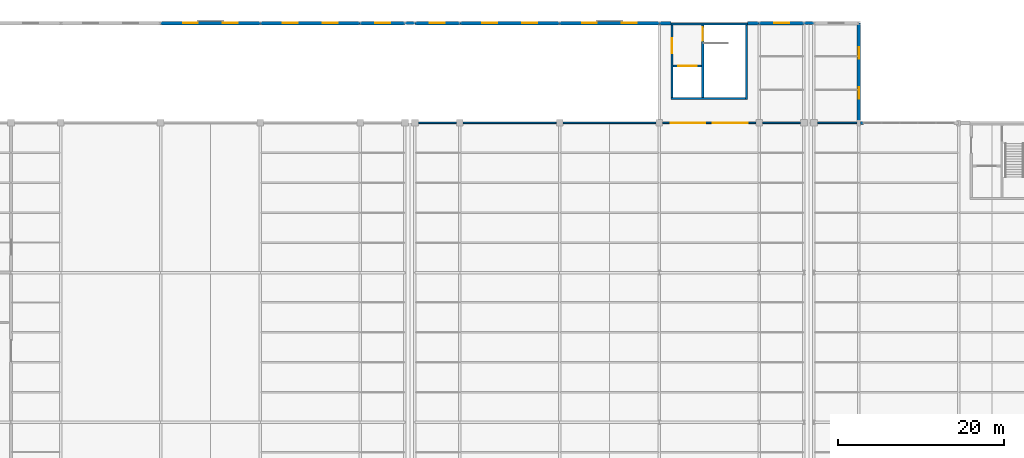
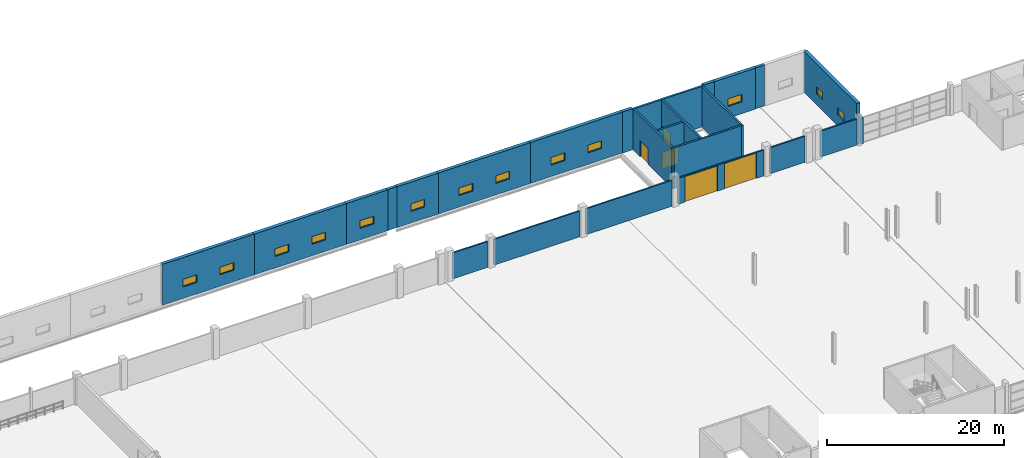
# One storey, part 140 of 147: 25 walls, 13 windows, 5 doors, 18 openings.
"""IFC4 building model written with IfcOpenShell, lengths in metres."""

from ifc_helpers import new_model, si_unit, direction, frame, frame_2d, origin, place, context, subcontext, project, spatial, rectangle, extrude, material, layer, layer_set, type_object, element, fill, save


model = new_model("IFC4")

# Units and contexts
model_context = context("Model", 3, precision=1e-05, world=origin(), true_north=direction((0.0, 1.0)))
body_context = subcontext(model_context, "Body", "Model", "MODEL_VIEW")
ifc_project = project(units=[si_unit("LENGTHUNIT", "METRE"), si_unit("AREAUNIT", "SQUARE_METRE"), si_unit("VOLUMEUNIT", "CUBIC_METRE"), si_unit("PLANEANGLEUNIT", "RADIAN"), si_unit("MASSUNIT", "GRAM", prefix="KILO")], contexts=[model_context])

# Site, building, storey
site_placement = place(None, origin())
site = spatial("IfcSite", under=ifc_project, at=site_placement, CompositionType="ELEMENT")
building_placement = place(site_placement, origin())
building = spatial("IfcBuilding", under=site, at=building_placement, Name="Zilviju Railside Exhibition Hall", CompositionType="ELEMENT")
storey_placement = place(building_placement, frame((0.0, 0.0, 8.39990234375)))
storey = spatial("IfcBuildingStorey", under=building, at=storey_placement, Name="L03", CompositionType="ELEMENT", Elevation=8.39990234375)

# Walls
ifc_material_1 = material(Name="Concrete C35/45", Category="concrete")
ifc_layer_1 = layer(ifc_material_1, 0.25)
ifc_layer_set_1 = layer_set([ifc_layer_1], Name="Concrete C35/45")
wall_type_1 = type_object("IfcWallType", Name="WL-CORE-250", PredefinedType="SHEAR", material=ifc_layer_set_1)
wall_1_placement = place(storey_placement, frame((166.47509765625, 150.0, 0.0), z_axis=(0.0, 0.0, 1.0), x_axis=(0.0, -1.0, 0.0)))
element("IfcWall", 1, at=wall_1_placement, inside=storey, type_object=wall_type_1, Name="Core C17 Logistics Wing East Stairwell Outer Wall L03", PredefinedType="SHEAR", context=body_context, shape_type="SweptSolid", body=[
    extrude(rectangle(XDim=9.199951171875, YDim=0.25, at=frame_2d((4.60009765625, 0.0))), origin(), (0.0, 0.0, 1.0), 5.60009765625),
])
wall_2_placement = place(storey_placement, frame((166.60009765625, 140.925048828125, 0.0), z_axis=(0.0, 0.0, 1.0), x_axis=(-1.0, 0.0, 0.0)))
element("IfcWall", 2, at=wall_2_placement, inside=storey, type_object=wall_type_1, Name="Core C17 Logistics Wing East Core Rear Wall L03", PredefinedType="SHEAR", context=body_context, shape_type="SweptSolid", body=[
    extrude(rectangle(XDim=9.2001953125, YDim=0.25, at=frame_2d((4.60009765625, 0.0))), origin(), (0.0, 0.0, 1.0), 5.60009765625),
])

# Wall, opening, door
wall_3_placement = place(storey_placement, frame((157.52490234375, 150.0, 0.0), z_axis=(0.0, 0.0, 1.0), x_axis=(0.0, -1.0, 0.0)))
wall_3 = element("IfcWall", 3, at=wall_3_placement, inside=storey, type_object=wall_type_1, Name="Core C17 Logistics Wing East Lobby Side Wall L03", PredefinedType="SHEAR", context=body_context, shape_type="SweptSolid", body=[
    extrude(rectangle(XDim=9.199951171875, YDim=0.25, at=frame_2d((4.60009765625, 0.0))), origin(), (0.0, 0.0, 1.0), 5.60009765625),
])
opening_1_placement = place(wall_3_placement, frame((1.800048828125, 0.0, 0.0)))
opening_1 = element("IfcOpeningElement", 4, at=opening_1_placement, cuts=wall_3, Name="Opening FD-02", PredefinedType="OPENING", context=body_context, shape_type="SweptSolid", body=[
    extrude(rectangle(XDim=1.800048828125, YDim=2.14990234375, at=frame_2d((0.89990234375, 1.074951171875))), frame((0.0, 0.135009765625, 0.0), z_axis=(0.0, -1.0, 0.0), x_axis=(1.0, 0.0, 0.0)), (0.0, 0.0, 1.0), 0.27001953125),
])
ifc_material_2 = material(Name="Self-closing glazed steel core lobby fire door EI 60", Category="steel")
door_type_1 = type_object("IfcDoorType", Name="DR-LOBBY-180x215", OperationType="NOTDEFINED", PredefinedType="DOOR", material=ifc_material_2)
door_1_placement = place(opening_1_placement, origin())
door_1 = element("IfcDoor", 5, at=door_1_placement, inside=storey, type_object=door_type_1, Name="Core C17 Logistics Wing East Lobby Fire Door L03", OperationType="DOUBLE_DOOR_SINGLE_SWING", OverallHeight=2.14990234375, OverallWidth=1.800048828125, PredefinedType="DOOR", context=body_context, shape_type="SweptSolid", body=[
    extrude(rectangle(XDim=1.800048828125, YDim=2.14990234375, at=frame_2d((0.89990234375, 1.074951171875))), frame((0.0, 0.02490234375, 0.0), z_axis=(0.0, -1.0, 0.0), x_axis=(1.0, 0.0, 0.0)), (0.0, 0.0, 1.0), 0.050048828125),
])
fill(opening_1, door_1)

wall_4_placement = place(storey_placement, frame((161.22509765625, 149.75, 0.0), z_axis=(0.0, 0.0, 1.0), x_axis=(0.0, -1.0, 0.0)))
wall_4 = element("IfcWall", 6, at=wall_4_placement, inside=storey, type_object=wall_type_1, Name="Core C17 Logistics Wing East Stairwell Partition Wall L03", PredefinedType="SHEAR", context=body_context, shape_type="SweptSolid", body=[
    extrude(rectangle(XDim=8.699951171875, YDim=0.25, at=frame_2d((4.35009765625, 0.0))), origin(), (0.0, 0.0, 1.0), 5.60009765625),
])
opening_2_placement = place(wall_4_placement, frame((0.25, 0.0, 0.0)))
opening_2 = element("IfcOpeningElement", 7, at=opening_2_placement, cuts=wall_4, Name="Opening FD-01", PredefinedType="OPENING", context=body_context, shape_type="SweptSolid", body=[
    extrude(rectangle(XDim=1.64990234375, YDim=2.10009765625, at=frame_2d((0.824951171875, 1.050048828125))), frame((0.0, 0.135009765625, 0.0), z_axis=(0.0, -1.0, 0.0), x_axis=(1.0, 0.0, 0.0)), (0.0, 0.0, 1.0), 0.27001953125),
])
ifc_material_3 = material(Name="Self-closing steel stair enclosure fire door EI 60", Category="steel")
door_type_2 = type_object("IfcDoorType", Name="DR-STAIR-165x210", OperationType="NOTDEFINED", PredefinedType="DOOR", material=ifc_material_3)
door_2_placement = place(opening_2_placement, origin())
door_2 = element("IfcDoor", 8, at=door_2_placement, inside=storey, type_object=door_type_2, Name="Core C17 Logistics Wing East Protected Stair Door L03", OperationType="SINGLE_SWING_LEFT", OverallHeight=2.10009765625, OverallWidth=1.64990234375, PredefinedType="DOOR", context=body_context, shape_type="SweptSolid", body=[
    extrude(rectangle(XDim=1.64990234375, YDim=2.10009765625, at=frame_2d((0.824951171875, 1.050048828125))), frame((0.0, 0.02490234375, 0.0), z_axis=(0.0, -1.0, 0.0), x_axis=(1.0, 0.0, 0.0)), (0.0, 0.0, 1.0), 0.050048828125),
])
fill(opening_2, door_2)

wall_5_placement = place(storey_placement, frame((161.10009765625, 144.824951171875, 0.0), z_axis=(0.0, 0.0, 1.0), x_axis=(-1.0, 0.0, 0.0)))
wall_5 = element("IfcWall", 9, at=wall_5_placement, inside=storey, type_object=wall_type_1, Name="Core C17 Logistics Wing East Lift Shaft Front Wall L03", PredefinedType="SHEAR", context=body_context, shape_type="SweptSolid", body=[
    extrude(rectangle(XDim=3.4501953125, YDim=0.25, at=frame_2d((1.72509765625, 0.0))), origin(), (0.0, 0.0, 1.0), 5.60009765625),
])
opening_3_placement = place(wall_5_placement, frame((0.625, 0.0, 0.0)))
opening_3 = element("IfcOpeningElement", 10, at=opening_3_placement, cuts=wall_5, Name="Opening LD-02", PredefinedType="OPENING", context=body_context, shape_type="SweptSolid", body=[
    extrude(rectangle(XDim=2.199951171875, YDim=2.35009765625, at=frame_2d((1.10009765625, 1.175048828125))), frame((0.0, 0.135009765625, 0.0), z_axis=(0.0, -1.0, 0.0), x_axis=(1.0, 0.0, 0.0)), (0.0, 0.0, 1.0), 0.27001953125),
])
ifc_material_4 = material(Name="Heavy freight lift sliding landing door EI 60", Category="wood")
door_type_3 = type_object("IfcDoorType", Name="DR-LIFT-220x235", OperationType="NOTDEFINED", PredefinedType="DOOR", material=ifc_material_4)
door_3_placement = place(opening_3_placement, origin())
door_3 = element("IfcDoor", 11, at=door_3_placement, inside=storey, type_object=door_type_3, Name="Lift Landing Door LF-04 L03", OperationType="SLIDING_TO_LEFT", OverallHeight=2.35009765625, OverallWidth=2.199951171875, PredefinedType="DOOR", context=body_context, shape_type="SweptSolid", body=[
    extrude(rectangle(XDim=2.199951171875, YDim=2.35009765625, at=frame_2d((1.10009765625, 1.175048828125))), frame((0.0, 0.02490234375, 0.0), z_axis=(0.0, -1.0, 0.0), x_axis=(1.0, 0.0, 0.0)), (0.0, 0.0, 1.0), 0.050048828125),
])
fill(opening_3, door_3)

# Walls
ifc_material_5 = material(Name="Concrete C40/50", Category="concrete")
ifc_layer_2 = layer(ifc_material_5, 0.25)
ifc_layer_set_2 = layer_set([ifc_layer_2], Name="Concrete C40/50")
wall_type_2 = type_object("IfcWallType", Name="WL-CORE-300", PredefinedType="SHEAR", material=ifc_layer_set_2)
wall_6_placement = place(storey_placement, frame((157.39990234375, 149.875, 0.0), z_axis=(0.0, 0.0, 1.0), x_axis=(1.0, 0.0, 0.0)))
element("IfcWall", 12, at=wall_6_placement, inside=storey, type_object=wall_type_2, Name="Core C17 Logistics Wing East Exterior Core Wall L03", PredefinedType="SHEAR", context=body_context, shape_type="SweptSolid", body=[
    extrude(rectangle(XDim=9.2001953125, YDim=0.25, at=frame_2d((4.60009765625, 0.0))), origin(), (0.0, 0.0, 1.0), 5.60009765625),
])
ifc_material_6 = material(Name="Insulated courtyard masonry wall", Category="masonry")
ifc_layer_3 = layer(ifc_material_6, 0.360107421875)
ifc_layer_set_3 = layer_set([ifc_layer_3], Name="Insulated courtyard masonry wall")
wall_type_3 = type_object("IfcWallType", Name="WL-EXT-360", PredefinedType="SOLIDWALL", material=ifc_layer_set_3)
for number, where, z_axis, x_axis, name in (
    (13, (125.39990234375, 150.0, 0.0), (0.0, 0.0, 1.0), (1.0, 0.0, 0.0), "Exterior Facade Wall L03 North 0589"),
    (14, (173.39990234375, 150.0, 0.0), (0.0, 0.0, 1.0), (1.0, 0.0, 0.0), "Exterior Facade Wall L03 North 0603"),
):
    element("IfcWall", number, at=place(storey_placement, frame(where, z_axis=z_axis, x_axis=x_axis)), inside=storey, type_object=wall_type_3, Name=name, PredefinedType="SOLIDWALL", context=body_context, shape_type="SweptSolid", body=[
        extrude(rectangle(XDim=1.2001953125, YDim=0.360107421875, at=frame_2d((0.60009765625, 0.0))), origin(), (0.0, 0.0, 1.0), 5.650146484375),
    ])
ifc_material_7 = material(Name="Insulated cream-brick upper facade wall", Category="masonry")
ifc_layer_4 = layer(ifc_material_7, 0.3798828125)
ifc_layer_set_4 = layer_set([ifc_layer_4], Name="Insulated cream-brick upper facade wall")
wall_type_4 = type_object("IfcWallType", Name="WL-EXT-380", PredefinedType="SOLIDWALL", material=ifc_layer_set_4)
wall_7_placement = place(storey_placement, frame((180.221923828125, 138.0, 0.0), z_axis=(0.0, 0.0, 1.0), x_axis=(1.0, 0.0, 0.0)))
element("IfcWall", 15, at=wall_7_placement, inside=storey, type_object=wall_type_4, Name="Curtain-Wall Jamb Closure Pier L03 0247", PredefinedType="SOLIDWALL", context=body_context, shape_type="SweptSolid", body=[
    extrude(rectangle(XDim=0.328125, YDim=0.3798828125, at=frame_2d((0.1640625, 0.0))), origin(), (0.0, 0.0, 1.0), 3.550048828125),
])

# Wall, openings, windows
ifc_layer_5 = layer(ifc_material_5, 0.43994140625)
ifc_layer_set_5 = layer_set([ifc_layer_5], Name="Concrete C40/50")
wall_type_5 = type_object("IfcWallType", Name="WL-EXT-AC440", PredefinedType="SHEAR", material=ifc_layer_set_5)
wall_8_placement = place(storey_placement, frame((96.0, 150.0, 0.0), z_axis=(0.0, 0.0, 1.0), x_axis=(1.0, 0.0, 0.0)))
wall_8 = element("IfcWall", 16, at=wall_8_placement, inside=storey, type_object=wall_type_5, Name="Exterior Facade Wall L03 North 0565", PredefinedType="SHEAR", context=body_context, shape_type="SweptSolid", body=[
    extrude(rectangle(XDim=12.0, YDim=0.43994140625, at=frame_2d((6.0, 0.0))), origin(), (0.0, 0.0, 1.0), 5.650146484375),
])
opening_4_placement = place(wall_8_placement, frame((2.699951171875, 0.0, 1.60009765625)))
opening_4 = element("IfcOpeningElement", 17, at=opening_4_placement, cuts=wall_8, Name="Opening WN-16", PredefinedType="OPENING", context=body_context, shape_type="SweptSolid", body=[
    extrude(rectangle(XDim=1.800048828125, YDim=1.050048828125, at=frame_2d((0.89990234375, 0.52490234375))), frame((0.0, 0.22998046875, 0.0), z_axis=(0.0, -1.0, 0.0), x_axis=(1.0, 0.0, 0.0)), (0.0, 0.0, 1.0), 0.4599609375),
])
opening_5_placement = place(wall_8_placement, frame((7.5, 0.0, 1.60009765625)))
opening_5 = element("IfcOpeningElement", 18, at=opening_5_placement, cuts=wall_8, Name="Opening WN-16", PredefinedType="OPENING", context=body_context, shape_type="SweptSolid", body=[
    extrude(rectangle(XDim=1.800048828125, YDim=1.050048828125, at=frame_2d((0.89990234375, 0.52490234375))), frame((0.0, 0.22998046875, 0.0), z_axis=(0.0, -1.0, 0.0), x_axis=(1.0, 0.0, 0.0)), (0.0, 0.0, 1.0), 0.4599609375),
])
ifc_material_8 = material(Name="Triple-glazed timber-aluminium window unit", Category="wood")
window_type_1 = type_object("IfcWindowType", Name="WIN-LOG-180x105", PartitioningType="DOUBLE_PANEL_VERTICAL", PredefinedType="WINDOW", material=ifc_material_8)
window_1_placement = place(opening_4_placement, origin())
window_1 = element("IfcWindow", 19, at=window_1_placement, inside=storey, type_object=window_type_1, Name="Facade Window L03 WN-0154", OverallHeight=1.050048828125, OverallWidth=1.800048828125, PartitioningType="SINGLE_PANEL", PredefinedType="WINDOW", context=body_context, shape_type="SweptSolid", body=[
    extrude(rectangle(XDim=1.800048828125, YDim=1.050048828125, at=frame_2d((0.89990234375, 0.52490234375))), frame((0.0, 0.030029296875, 0.0), z_axis=(0.0, -1.0, 0.0), x_axis=(1.0, 0.0, 0.0)), (0.0, 0.0, 1.0), 0.06005859375),
])
fill(opening_4, window_1)
window_2_placement = place(opening_5_placement, origin())
window_2 = element("IfcWindow", 20, at=window_2_placement, inside=storey, type_object=window_type_1, Name="Facade Window L03 WN-0155", OverallHeight=1.050048828125, OverallWidth=1.800048828125, PartitioningType="SINGLE_PANEL", PredefinedType="WINDOW", context=body_context, shape_type="SweptSolid", body=[
    extrude(rectangle(XDim=1.800048828125, YDim=1.050048828125, at=frame_2d((0.89990234375, 0.52490234375))), frame((0.0, 0.030029296875, 0.0), z_axis=(0.0, -1.0, 0.0), x_axis=(1.0, 0.0, 0.0)), (0.0, 0.0, 1.0), 0.06005859375),
])
fill(opening_5, window_2)

wall_9_placement = place(storey_placement, frame((108.0, 150.0, 0.0), z_axis=(0.0, 0.0, 1.0), x_axis=(1.0, 0.0, 0.0)))
wall_9 = element("IfcWall", 21, at=wall_9_placement, inside=storey, type_object=wall_type_5, Name="Exterior Facade Wall L03 North 0566", PredefinedType="SHEAR", context=body_context, shape_type="SweptSolid", body=[
    extrude(rectangle(XDim=12.0, YDim=0.43994140625, at=frame_2d((6.0, 0.0))), origin(), (0.0, 0.0, 1.0), 5.650146484375),
])
opening_6_placement = place(wall_9_placement, frame((2.699951171875, 0.0, 1.60009765625)))
opening_6 = element("IfcOpeningElement", 22, at=opening_6_placement, cuts=wall_9, Name="Opening WN-16", PredefinedType="OPENING", context=body_context, shape_type="SweptSolid", body=[
    extrude(rectangle(XDim=1.800048828125, YDim=1.050048828125, at=frame_2d((0.89990234375, 0.52490234375))), frame((0.0, 0.22998046875, 0.0), z_axis=(0.0, -1.0, 0.0), x_axis=(1.0, 0.0, 0.0)), (0.0, 0.0, 1.0), 0.4599609375),
])
opening_7_placement = place(wall_9_placement, frame((7.5, 0.0, 1.60009765625)))
opening_7 = element("IfcOpeningElement", 23, at=opening_7_placement, cuts=wall_9, Name="Opening WN-16", PredefinedType="OPENING", context=body_context, shape_type="SweptSolid", body=[
    extrude(rectangle(XDim=1.800048828125, YDim=1.050048828125, at=frame_2d((0.89990234375, 0.52490234375))), frame((0.0, 0.22998046875, 0.0), z_axis=(0.0, -1.0, 0.0), x_axis=(1.0, 0.0, 0.0)), (0.0, 0.0, 1.0), 0.4599609375),
])
window_3_placement = place(opening_6_placement, origin())
window_3 = element("IfcWindow", 24, at=window_3_placement, inside=storey, type_object=window_type_1, Name="Facade Window L03 WN-0156", OverallHeight=1.050048828125, OverallWidth=1.800048828125, PartitioningType="SINGLE_PANEL", PredefinedType="WINDOW", context=body_context, shape_type="SweptSolid", body=[
    extrude(rectangle(XDim=1.800048828125, YDim=1.050048828125, at=frame_2d((0.89990234375, 0.52490234375))), frame((0.0, 0.030029296875, 0.0), z_axis=(0.0, -1.0, 0.0), x_axis=(1.0, 0.0, 0.0)), (0.0, 0.0, 1.0), 0.06005859375),
])
fill(opening_6, window_3)
window_4_placement = place(opening_7_placement, origin())
window_4 = element("IfcWindow", 25, at=window_4_placement, inside=storey, type_object=window_type_1, Name="Facade Window L03 WN-0157", OverallHeight=1.050048828125, OverallWidth=1.800048828125, PartitioningType="SINGLE_PANEL", PredefinedType="WINDOW", context=body_context, shape_type="SweptSolid", body=[
    extrude(rectangle(XDim=1.800048828125, YDim=1.050048828125, at=frame_2d((0.89990234375, 0.52490234375))), frame((0.0, 0.030029296875, 0.0), z_axis=(0.0, -1.0, 0.0), x_axis=(1.0, 0.0, 0.0)), (0.0, 0.0, 1.0), 0.06005859375),
])
fill(opening_7, window_4)

# Wall, opening, window
wall_10_placement = place(storey_placement, frame((120.0, 150.0, 0.0), z_axis=(0.0, 0.0, 1.0), x_axis=(1.0, 0.0, 0.0)))
wall_10 = element("IfcWall", 26, at=wall_10_placement, inside=storey, type_object=wall_type_5, Name="Exterior Facade Wall L03 North 0567", PredefinedType="SHEAR", context=body_context, shape_type="SweptSolid", body=[
    extrude(rectangle(XDim=5.39990234375, YDim=0.43994140625, at=frame_2d((2.699951171875, 0.0))), origin(), (0.0, 0.0, 1.0), 5.650146484375),
])
opening_8_placement = place(wall_10_placement, frame((1.800048828125, 0.0, 1.60009765625)))
opening_8 = element("IfcOpeningElement", 27, at=opening_8_placement, cuts=wall_10, Name="Opening WN-16", PredefinedType="OPENING", context=body_context, shape_type="SweptSolid", body=[
    extrude(rectangle(XDim=1.800048828125, YDim=1.050048828125, at=frame_2d((0.89990234375, 0.52490234375))), frame((0.0, 0.22998046875, 0.0), z_axis=(0.0, -1.0, 0.0), x_axis=(1.0, 0.0, 0.0)), (0.0, 0.0, 1.0), 0.4599609375),
])
window_5_placement = place(opening_8_placement, origin())
window_5 = element("IfcWindow", 28, at=window_5_placement, inside=storey, type_object=window_type_1, Name="Facade Window L03 WN-0158", OverallHeight=1.050048828125, OverallWidth=1.800048828125, PartitioningType="SINGLE_PANEL", PredefinedType="WINDOW", context=body_context, shape_type="SweptSolid", body=[
    extrude(rectangle(XDim=1.800048828125, YDim=1.050048828125, at=frame_2d((0.89990234375, 0.52490234375))), frame((0.0, 0.030029296875, 0.0), z_axis=(0.0, -1.0, 0.0), x_axis=(1.0, 0.0, 0.0)), (0.0, 0.0, 1.0), 0.06005859375),
])
fill(opening_8, window_5)

wall_11_placement = place(storey_placement, frame((126.60009765625, 150.0, 0.0), z_axis=(0.0, 0.0, 1.0), x_axis=(1.0, 0.0, 0.0)))
wall_11 = element("IfcWall", 29, at=wall_11_placement, inside=storey, type_object=wall_type_5, Name="Exterior Facade Wall L03 North 0568", PredefinedType="SHEAR", context=body_context, shape_type="SweptSolid", body=[
    extrude(rectangle(XDim=5.39990234375, YDim=0.43994140625, at=frame_2d((2.699951171875, 0.0))), origin(), (0.0, 0.0, 1.0), 5.650146484375),
])
opening_9_placement = place(wall_11_placement, frame((1.800048828125, 0.0, 1.60009765625)))
opening_9 = element("IfcOpeningElement", 30, at=opening_9_placement, cuts=wall_11, Name="Opening WN-16", PredefinedType="OPENING", context=body_context, shape_type="SweptSolid", body=[
    extrude(rectangle(XDim=1.800048828125, YDim=1.050048828125, at=frame_2d((0.89990234375, 0.52490234375))), frame((0.0, 0.22998046875, 0.0), z_axis=(0.0, -1.0, 0.0), x_axis=(1.0, 0.0, 0.0)), (0.0, 0.0, 1.0), 0.4599609375),
])
window_6_placement = place(opening_9_placement, origin())
window_6 = element("IfcWindow", 31, at=window_6_placement, inside=storey, type_object=window_type_1, Name="Facade Window L03 WN-0159", OverallHeight=1.050048828125, OverallWidth=1.800048828125, PartitioningType="SINGLE_PANEL", PredefinedType="WINDOW", context=body_context, shape_type="SweptSolid", body=[
    extrude(rectangle(XDim=1.800048828125, YDim=1.050048828125, at=frame_2d((0.89990234375, 0.52490234375))), frame((0.0, 0.030029296875, 0.0), z_axis=(0.0, -1.0, 0.0), x_axis=(1.0, 0.0, 0.0)), (0.0, 0.0, 1.0), 0.06005859375),
])
fill(opening_9, window_6)

# Wall, openings, windows
wall_12_placement = place(storey_placement, frame((132.0, 150.0, 0.0), z_axis=(0.0, 0.0, 1.0), x_axis=(1.0, 0.0, 0.0)))
wall_12 = element("IfcWall", 32, at=wall_12_placement, inside=storey, type_object=wall_type_5, Name="Exterior Facade Wall L03 North 0569", PredefinedType="SHEAR", context=body_context, shape_type="SweptSolid", body=[
    extrude(rectangle(XDim=12.0, YDim=0.43994140625, at=frame_2d((6.0, 0.0))), origin(), (0.0, 0.0, 1.0), 5.650146484375),
])
opening_10_placement = place(wall_12_placement, frame((2.699951171875, 0.0, 1.60009765625)))
opening_10 = element("IfcOpeningElement", 33, at=opening_10_placement, cuts=wall_12, Name="Opening WN-16", PredefinedType="OPENING", context=body_context, shape_type="SweptSolid", body=[
    extrude(rectangle(XDim=1.800048828125, YDim=1.050048828125, at=frame_2d((0.89990234375, 0.52490234375))), frame((0.0, 0.22998046875, 0.0), z_axis=(0.0, -1.0, 0.0), x_axis=(1.0, 0.0, 0.0)), (0.0, 0.0, 1.0), 0.4599609375),
])
opening_11_placement = place(wall_12_placement, frame((7.5, 0.0, 1.60009765625)))
opening_11 = element("IfcOpeningElement", 34, at=opening_11_placement, cuts=wall_12, Name="Opening WN-16", PredefinedType="OPENING", context=body_context, shape_type="SweptSolid", body=[
    extrude(rectangle(XDim=1.800048828125, YDim=1.050048828125, at=frame_2d((0.89990234375, 0.52490234375))), frame((0.0, 0.22998046875, 0.0), z_axis=(0.0, -1.0, 0.0), x_axis=(1.0, 0.0, 0.0)), (0.0, 0.0, 1.0), 0.4599609375),
])
window_7_placement = place(opening_10_placement, origin())
window_7 = element("IfcWindow", 35, at=window_7_placement, inside=storey, type_object=window_type_1, Name="Facade Window L03 WN-0160", OverallHeight=1.050048828125, OverallWidth=1.800048828125, PartitioningType="SINGLE_PANEL", PredefinedType="WINDOW", context=body_context, shape_type="SweptSolid", body=[
    extrude(rectangle(XDim=1.800048828125, YDim=1.050048828125, at=frame_2d((0.89990234375, 0.52490234375))), frame((0.0, 0.030029296875, 0.0), z_axis=(0.0, -1.0, 0.0), x_axis=(1.0, 0.0, 0.0)), (0.0, 0.0, 1.0), 0.06005859375),
])
fill(opening_10, window_7)
window_8_placement = place(opening_11_placement, origin())
window_8 = element("IfcWindow", 36, at=window_8_placement, inside=storey, type_object=window_type_1, Name="Facade Window L03 WN-0161", OverallHeight=1.050048828125, OverallWidth=1.800048828125, PartitioningType="SINGLE_PANEL", PredefinedType="WINDOW", context=body_context, shape_type="SweptSolid", body=[
    extrude(rectangle(XDim=1.800048828125, YDim=1.050048828125, at=frame_2d((0.89990234375, 0.52490234375))), frame((0.0, 0.030029296875, 0.0), z_axis=(0.0, -1.0, 0.0), x_axis=(1.0, 0.0, 0.0)), (0.0, 0.0, 1.0), 0.06005859375),
])
fill(opening_11, window_8)

wall_13_placement = place(storey_placement, frame((144.0, 150.0, 0.0), z_axis=(0.0, 0.0, 1.0), x_axis=(1.0, 0.0, 0.0)))
wall_13 = element("IfcWall", 37, at=wall_13_placement, inside=storey, type_object=wall_type_5, Name="Exterior Facade Wall L03 North 0570", PredefinedType="SHEAR", context=body_context, shape_type="SweptSolid", body=[
    extrude(rectangle(XDim=12.0, YDim=0.43994140625, at=frame_2d((6.0, 0.0))), origin(), (0.0, 0.0, 1.0), 5.650146484375),
])
opening_12_placement = place(wall_13_placement, frame((2.699951171875, 0.0, 1.60009765625)))
opening_12 = element("IfcOpeningElement", 38, at=opening_12_placement, cuts=wall_13, Name="Opening WN-16", PredefinedType="OPENING", context=body_context, shape_type="SweptSolid", body=[
    extrude(rectangle(XDim=1.800048828125, YDim=1.050048828125, at=frame_2d((0.89990234375, 0.52490234375))), frame((0.0, 0.22998046875, 0.0), z_axis=(0.0, -1.0, 0.0), x_axis=(1.0, 0.0, 0.0)), (0.0, 0.0, 1.0), 0.4599609375),
])
opening_13_placement = place(wall_13_placement, frame((7.5, 0.0, 1.60009765625)))
opening_13 = element("IfcOpeningElement", 39, at=opening_13_placement, cuts=wall_13, Name="Opening WN-16", PredefinedType="OPENING", context=body_context, shape_type="SweptSolid", body=[
    extrude(rectangle(XDim=1.800048828125, YDim=1.050048828125, at=frame_2d((0.89990234375, 0.52490234375))), frame((0.0, 0.22998046875, 0.0), z_axis=(0.0, -1.0, 0.0), x_axis=(1.0, 0.0, 0.0)), (0.0, 0.0, 1.0), 0.4599609375),
])
window_9_placement = place(opening_12_placement, origin())
window_9 = element("IfcWindow", 40, at=window_9_placement, inside=storey, type_object=window_type_1, Name="Facade Window L03 WN-0162", OverallHeight=1.050048828125, OverallWidth=1.800048828125, PartitioningType="SINGLE_PANEL", PredefinedType="WINDOW", context=body_context, shape_type="SweptSolid", body=[
    extrude(rectangle(XDim=1.800048828125, YDim=1.050048828125, at=frame_2d((0.89990234375, 0.52490234375))), frame((0.0, 0.030029296875, 0.0), z_axis=(0.0, -1.0, 0.0), x_axis=(1.0, 0.0, 0.0)), (0.0, 0.0, 1.0), 0.06005859375),
])
fill(opening_12, window_9)
window_10_placement = place(opening_13_placement, origin())
window_10 = element("IfcWindow", 41, at=window_10_placement, inside=storey, type_object=window_type_1, Name="Facade Window L03 WN-0163", OverallHeight=1.050048828125, OverallWidth=1.800048828125, PartitioningType="SINGLE_PANEL", PredefinedType="WINDOW", context=body_context, shape_type="SweptSolid", body=[
    extrude(rectangle(XDim=1.800048828125, YDim=1.050048828125, at=frame_2d((0.89990234375, 0.52490234375))), frame((0.0, 0.030029296875, 0.0), z_axis=(0.0, -1.0, 0.0), x_axis=(1.0, 0.0, 0.0)), (0.0, 0.0, 1.0), 0.06005859375),
])
fill(opening_13, window_10)

# Walls
for number, where, z_axis, x_axis, name in (
    (42, (156.0, 150.0, 0.0), (0.0, 0.0, 1.0), (1.0, 0.0, 0.0), "Exterior Facade Wall L03 North 0571"),
    (43, (166.60009765625, 150.0, 0.0), (0.0, 0.0, 1.0), (1.0, 0.0, 0.0), "Exterior Facade Wall L03 North 0572"),
):
    element("IfcWall", number, at=place(storey_placement, frame(where, z_axis=z_axis, x_axis=x_axis)), inside=storey, type_object=wall_type_5, Name=name, PredefinedType="SHEAR", context=body_context, shape_type="SweptSolid", body=[
        extrude(rectangle(XDim=1.39990234375, YDim=0.43994140625, at=frame_2d((0.699951171875, 0.0))), origin(), (0.0, 0.0, 1.0), 5.650146484375),
    ])

# Wall, opening, window
wall_14_placement = place(storey_placement, frame((168.0, 150.0, 0.0), z_axis=(0.0, 0.0, 1.0), x_axis=(1.0, 0.0, 0.0)))
wall_14 = element("IfcWall", 44, at=wall_14_placement, inside=storey, type_object=wall_type_5, Name="Exterior Facade Wall L03 North 0573", PredefinedType="SHEAR", context=body_context, shape_type="SweptSolid", body=[
    extrude(rectangle(XDim=5.39990234375, YDim=0.43994140625, at=frame_2d((2.699951171875, 0.0))), origin(), (0.0, 0.0, 1.0), 5.650146484375),
])
opening_14_placement = place(wall_14_placement, frame((1.800048828125, 0.0, 1.60009765625)))
opening_14 = element("IfcOpeningElement", 45, at=opening_14_placement, cuts=wall_14, Name="Opening WN-16", PredefinedType="OPENING", context=body_context, shape_type="SweptSolid", body=[
    extrude(rectangle(XDim=1.800048828125, YDim=1.050048828125, at=frame_2d((0.89990234375, 0.52490234375))), frame((0.0, 0.22998046875, 0.0), z_axis=(0.0, -1.0, 0.0), x_axis=(1.0, 0.0, 0.0)), (0.0, 0.0, 1.0), 0.4599609375),
])
window_11_placement = place(opening_14_placement, origin())
window_11 = element("IfcWindow", 46, at=window_11_placement, inside=storey, type_object=window_type_1, Name="Facade Window L03 WN-0164", OverallHeight=1.050048828125, OverallWidth=1.800048828125, PartitioningType="SINGLE_PANEL", PredefinedType="WINDOW", context=body_context, shape_type="SweptSolid", body=[
    extrude(rectangle(XDim=1.800048828125, YDim=1.050048828125, at=frame_2d((0.89990234375, 0.52490234375))), frame((0.0, 0.030029296875, 0.0), z_axis=(0.0, -1.0, 0.0), x_axis=(1.0, 0.0, 0.0)), (0.0, 0.0, 1.0), 0.06005859375),
])
fill(opening_14, window_11)

# Wall, openings, windows
wall_15_placement = place(storey_placement, frame((180.0, 150.0, 0.0), z_axis=(0.0, 0.0, 1.0), x_axis=(0.0, -1.0, 0.0)))
wall_15 = element("IfcWall", 47, at=wall_15_placement, inside=storey, type_object=wall_type_5, Name="Exterior Facade Wall L03 East 0580", PredefinedType="SHEAR", context=body_context, shape_type="SweptSolid", body=[
    extrude(rectangle(XDim=12.0, YDim=0.43994140625, at=frame_2d((6.0, 0.0))), origin(), (0.0, 0.0, 1.0), 5.650146484375),
])
opening_15_placement = place(wall_15_placement, frame((2.89990234375, 0.0, 1.5)))
opening_15 = element("IfcOpeningElement", 48, at=opening_15_placement, cuts=wall_15, Name="Opening WN-17", PredefinedType="OPENING", context=body_context, shape_type="SweptSolid", body=[
    extrude(rectangle(XDim=1.39990234375, YDim=0.949951171875, at=frame_2d((0.699951171875, 0.47509765625))), frame((0.0, 0.22998046875, 0.0), z_axis=(0.0, -1.0, 0.0), x_axis=(1.0, 0.0, 0.0)), (0.0, 0.0, 1.0), 0.4599609375),
])
opening_16_placement = place(wall_15_placement, frame((7.699951171875, 0.0, 1.5)))
opening_16 = element("IfcOpeningElement", 49, at=opening_16_placement, cuts=wall_15, Name="Opening WN-17", PredefinedType="OPENING", context=body_context, shape_type="SweptSolid", body=[
    extrude(rectangle(XDim=1.39990234375, YDim=0.949951171875, at=frame_2d((0.699951171875, 0.47509765625))), frame((0.0, 0.22998046875, 0.0), z_axis=(0.0, -1.0, 0.0), x_axis=(1.0, 0.0, 0.0)), (0.0, 0.0, 1.0), 0.4599609375),
])
window_type_2 = type_object("IfcWindowType", Name="WIN-LOG-140x095", PartitioningType="DOUBLE_PANEL_VERTICAL", PredefinedType="WINDOW", material=ifc_material_8)
window_12_placement = place(opening_15_placement, origin())
window_12 = element("IfcWindow", 50, at=window_12_placement, inside=storey, type_object=window_type_2, Name="Facade Window L03 WN-0174", OverallHeight=0.949951171875, OverallWidth=1.39990234375, PartitioningType="SINGLE_PANEL", PredefinedType="WINDOW", context=body_context, shape_type="SweptSolid", body=[
    extrude(rectangle(XDim=1.39990234375, YDim=0.949951171875, at=frame_2d((0.699951171875, 0.47509765625))), frame((0.0, 0.030029296875, 0.0), z_axis=(0.0, -1.0, 0.0), x_axis=(1.0, 0.0, 0.0)), (0.0, 0.0, 1.0), 0.06005859375),
])
fill(opening_15, window_12)
window_13_placement = place(opening_16_placement, origin())
window_13 = element("IfcWindow", 51, at=window_13_placement, inside=storey, type_object=window_type_2, Name="Facade Window L03 WN-0175", OverallHeight=0.949951171875, OverallWidth=1.39990234375, PartitioningType="SINGLE_PANEL", PredefinedType="WINDOW", context=body_context, shape_type="SweptSolid", body=[
    extrude(rectangle(XDim=1.39990234375, YDim=0.949951171875, at=frame_2d((0.699951171875, 0.47509765625))), frame((0.0, 0.030029296875, 0.0), z_axis=(0.0, -1.0, 0.0), x_axis=(1.0, 0.0, 0.0)), (0.0, 0.0, 1.0), 0.06005859375),
])
fill(opening_16, window_13)

# Walls
ifc_material_9 = material(Name="Double-stud acoustic gypsum partition wall", Category="masonry")
ifc_layer_6 = layer(ifc_material_9, 0.199951171875)
ifc_layer_set_6 = layer_set([ifc_layer_6], Name="Double-stud acoustic gypsum partition wall")
wall_type_6 = type_object("IfcWallType", Name="WL-PART-200", PredefinedType="PARTITIONING", material=ifc_layer_set_6)
wall_16_placement = place(storey_placement, frame((127.001953125, 138.0, 0.0), z_axis=(0.0, 0.0, 1.0), x_axis=(1.0, 0.0, 0.0)))
element("IfcWall", 52, at=wall_16_placement, inside=storey, type_object=wall_type_6, Name="REI 180 Railside Buffer Compartment Wall L03", PredefinedType="PARTITIONING", context=body_context, shape_type="SweptSolid", body=[
    extrude(rectangle(XDim=4.595947265625, YDim=0.199951171875, at=frame_2d((2.2978515625, 0.0))), origin(), (0.0, 0.0, 1.0), 3.570068359375),
])
for number, where, z_axis, x_axis, name in (
    (53, (132.402099609375, 138.0, 0.0), (0.0, 0.0, 1.0), (1.0, 0.0, 0.0), "REI 180 Railside Buffer Compartment Wall L03"),
    (54, (144.402099609375, 138.0, 0.0), (0.0, 0.0, 1.0), (1.0, 0.0, 0.0), "REI 180 Railside Buffer Compartment Wall L03"),
):
    element("IfcWall", number, at=place(storey_placement, frame(where, z_axis=z_axis, x_axis=x_axis)), inside=storey, type_object=wall_type_6, Name=name, PredefinedType="PARTITIONING", context=body_context, shape_type="SweptSolid", body=[
        extrude(rectangle(XDim=11.19580078125, YDim=0.199951171875, at=frame_2d((5.597900390625, 0.0))), origin(), (0.0, 0.0, 1.0), 3.570068359375),
    ])

# Wall, openings, doors
wall_17_placement = place(storey_placement, frame((156.402099609375, 138.0, 0.0), z_axis=(0.0, 0.0, 1.0), x_axis=(1.0, 0.0, 0.0)))
wall_17 = element("IfcWall", 55, at=wall_17_placement, inside=storey, type_object=wall_type_6, Name="REI 180 Railside Buffer Compartment Wall L03", PredefinedType="PARTITIONING", context=body_context, shape_type="SweptSolid", body=[
    extrude(rectangle(XDim=11.19580078125, YDim=0.199951171875, at=frame_2d((5.597900390625, 0.0))), origin(), (0.0, 0.0, 1.0), 3.580078125),
])
opening_17_placement = place(wall_17_placement, frame((0.947998046875, 0.0, 0.0)))
opening_17 = element("IfcOpeningElement", 56, at=opening_17_placement, cuts=wall_17, Name="Opening VG-03", PredefinedType="OPENING", context=body_context, shape_type="SweptSolid", body=[
    extrude(rectangle(XDim=4.199951171875, YDim=3.5, at=frame_2d((2.10009765625, 1.75))), frame((0.0, 0.10986328125, 0.0), z_axis=(0.0, -1.0, 0.0), x_axis=(1.0, 0.0, 0.0)), (0.0, 0.0, 1.0), 0.219970703125),
])
opening_18_placement = place(wall_17_placement, frame((6.048095703125, 0.0, 0.0)))
opening_18 = element("IfcOpeningElement", 57, at=opening_18_placement, cuts=wall_17, Name="Opening VG-03", PredefinedType="OPENING", context=body_context, shape_type="SweptSolid", body=[
    extrude(rectangle(XDim=4.199951171875, YDim=3.5, at=frame_2d((2.10009765625, 1.75))), frame((0.0, 0.10986328125, 0.0), z_axis=(0.0, -1.0, 0.0), x_axis=(1.0, 0.0, 0.0)), (0.0, 0.0, 1.0), 0.219970703125),
])
ifc_material_10 = material(Name="Fire-rated steel HGV hall shutter gate EI 60", Category="steel")
door_type_4 = type_object("IfcDoorType", Name="GT-HGV-420x350-FR", OperationType="NOTDEFINED", PredefinedType="GATE", material=ifc_material_10)
door_4_placement = place(opening_17_placement, origin())
door_4 = element("IfcDoor", 58, at=door_4_placement, inside=storey, type_object=door_type_4, Name="Upper Exhibition Hall HGV Shutter Gate VG-02", OperationType="ROLLINGUP", OverallHeight=3.5, OverallWidth=4.199951171875, PredefinedType="GATE", context=body_context, shape_type="SweptSolid", body=[
    extrude(rectangle(XDim=4.199951171875, YDim=3.5, at=frame_2d((2.10009765625, 1.75))), frame((0.0, 0.02490234375, 0.0), z_axis=(0.0, -1.0, 0.0), x_axis=(1.0, 0.0, 0.0)), (0.0, 0.0, 1.0), 0.050048828125),
])
fill(opening_17, door_4)
door_5_placement = place(opening_18_placement, origin())
door_5 = element("IfcDoor", 59, at=door_5_placement, inside=storey, type_object=door_type_4, Name="Upper Exhibition Hall HGV Shutter Gate VG-03", OperationType="ROLLINGUP", OverallHeight=3.5, OverallWidth=4.199951171875, PredefinedType="GATE", context=body_context, shape_type="SweptSolid", body=[
    extrude(rectangle(XDim=4.199951171875, YDim=3.5, at=frame_2d((2.10009765625, 1.75))), frame((0.0, 0.02490234375, 0.0), z_axis=(0.0, -1.0, 0.0), x_axis=(1.0, 0.0, 0.0)), (0.0, 0.0, 1.0), 0.050048828125),
])
fill(opening_18, door_5)

# Walls
wall_18_placement = place(storey_placement, frame((168.402099609375, 138.0, 0.0), z_axis=(0.0, 0.0, 1.0), x_axis=(1.0, 0.0, 0.0)))
element("IfcWall", 60, at=wall_18_placement, inside=storey, type_object=wall_type_6, Name="REI 180 Railside Buffer Compartment Wall L03", PredefinedType="PARTITIONING", context=body_context, shape_type="SweptSolid", body=[
    extrude(rectangle(XDim=4.595947265625, YDim=0.199951171875, at=frame_2d((2.2978515625, 0.0))), origin(), (0.0, 0.0, 1.0), 3.580078125),
])
wall_19_placement = place(storey_placement, frame((175.001953125, 138.0, 0.0), z_axis=(0.0, 0.0, 1.0), x_axis=(1.0, 0.0, 0.0)))
element("IfcWall", 61, at=wall_19_placement, inside=storey, type_object=wall_type_6, Name="REI 180 Railside Buffer Compartment Wall L03", PredefinedType="PARTITIONING", context=body_context, shape_type="SweptSolid", body=[
    extrude(rectangle(XDim=4.77099609375, YDim=0.199951171875, at=frame_2d((2.385498046875, 0.0))), origin(), (0.0, 0.0, 1.0), 3.580078125),
])

save(model, "model.ifc")
